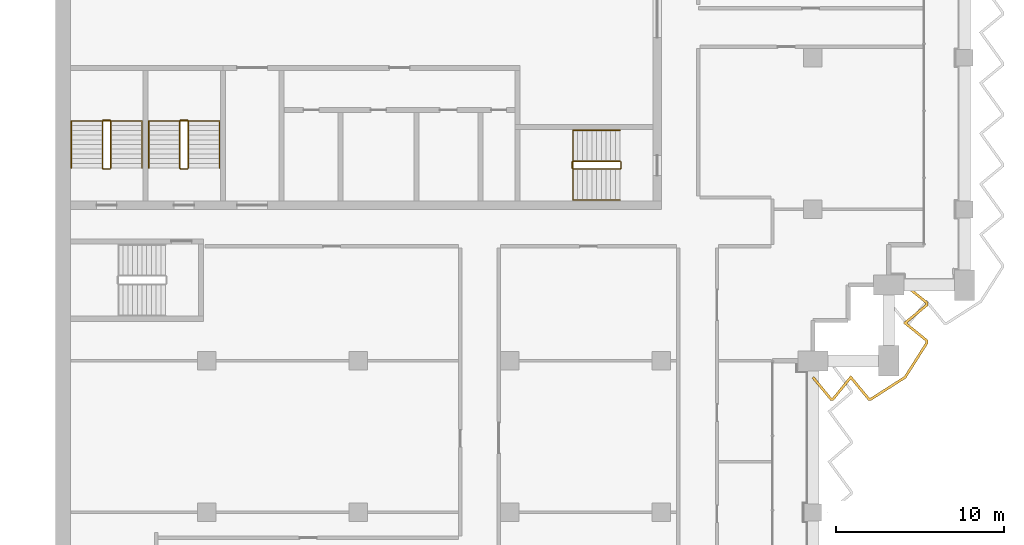
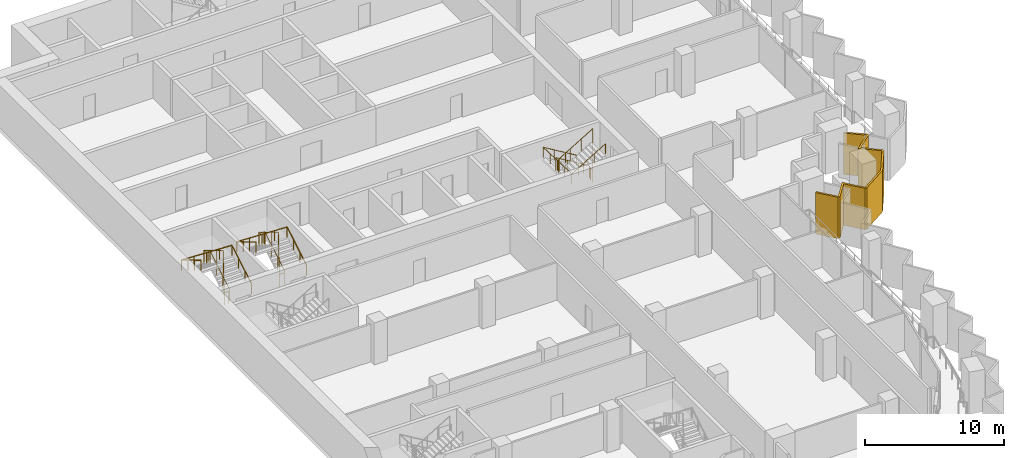
# One storey, part 16 of 17: 6 railings, 1 shading device.
"""IFC4 building model written with IfcOpenShell, lengths in metres."""

from ifc_helpers import new_model, si_unit, direction, frame, origin, origin_2d, place, context, subcontext, project, spatial, polyline, circle, outline, extrude, material, layer, layer_set, type_object, element, save


model = new_model("IFC4")

# Units and contexts
model_context = context("Model", 3, precision=1e-05, world=origin(), true_north=direction((0.0, 1.0)))
body_context = subcontext(model_context, "Body", "Model", "MODEL_VIEW")
ifc_project = project(units=[si_unit("LENGTHUNIT", "METRE"), si_unit("AREAUNIT", "SQUARE_METRE"), si_unit("VOLUMEUNIT", "CUBIC_METRE"), si_unit("PLANEANGLEUNIT", "RADIAN"), si_unit("MASSUNIT", "GRAM", prefix="KILO")], contexts=[model_context])

# Site, building, storey
site_placement = place(None, origin())
site = spatial("IfcSite", under=ifc_project, at=site_placement, CompositionType="ELEMENT")
building_placement = place(site_placement, origin())
building = spatial("IfcBuilding", under=site, at=building_placement, Name="Hunhe Ridgeline Campus", CompositionType="ELEMENT")
storey_placement = place(building_placement, frame((0.0, 0.0, 201.300048828125)))
storey = spatial("IfcBuildingStorey", under=building, at=storey_placement, Name="L51", CompositionType="ELEMENT", Elevation=201.300048828125)

# Shading device
ifc_material_1 = material(Name="Concrete C50", Category="concrete")
ifc_layer = layer(ifc_material_1, 0.14990234375)
ifc_layer_set = layer_set([ifc_layer], Name="Sawtooth concrete fin 150 Concrete C50")
shading_device_type = type_object("IfcShadingDeviceType", Name="Sawtooth concrete fin 150 Concrete C50", PredefinedType="USERDEFINED", material=ifc_layer_set)
shading_device_placement = place(storey_placement, frame((0.0, 0.0, -0.949951171875)))
element("IfcShadingDevice", 1, at=shading_device_placement, inside=storey, type_object=shading_device_type, Name="Concrete fin screen 2", ObjectType="FIN", PredefinedType="USERDEFINED", context=body_context, shape_type="SweptSolid", body=[
    extrude(outline(polyline([(45.057861328125, 53.07275390625), (44.942138671875, 52.977294921875), (46.037353515625, 51.64990234375), (46.228271484375, 51.64990234375), (47.25048828125, 52.90673828125), (48.287353515625, 51.64990234375), (48.464599609375, 51.64990234375), (50.529296875, 52.970703125), (51.85009765625, 55.05078125), (51.85009765625, 55.228271484375), (50.59326171875, 56.25048828125), (51.85009765625, 57.287353515625), (51.85009765625, 57.478271484375), (50.522216796875, 58.55810546875), (50.427734375, 58.44189453125), (51.699951171875, 57.406982421875), (51.699951171875, 57.35791015625), (50.356689453125, 56.24951171875), (51.699951171875, 55.156982421875), (51.699951171875, 55.094482421875), (50.420654296875, 53.079345703125), (48.420654296875, 51.800048828125), (48.35791015625, 51.800048828125), (47.24951171875, 53.143310546875), (46.156982421875, 51.800048828125), (46.10791015625, 51.800048828125), (45.057861328125, 53.07275390625)])), origin(), (0.0, 0.0, 1.0), 3.64990234375),
])

# Railings
ifc_material_2 = material(Name="Stainless steel balustrade", Category="steel")
railing_type_1 = type_object("IfcRailingType", Name="Stair guard 1100 stainless", PredefinedType="GUARDRAIL", material=ifc_material_2)
railing_1_placement = place(storey_placement, frame((33.550048828125, 65.85009765625, 0.168212890625)))
element("IfcRailing", 2, at=railing_1_placement, inside=storey, type_object=railing_type_1, Name="L51 stair S2 guard", PredefinedType="GUARDRAIL", context=body_context, shape_type="SweptSolid", body=[
    extrude(circle(Radius=0.02392578125, at=origin_2d()), frame((0.0, 0.0, 1.076171875), z_axis=(-0.857275202839, 0.0, 0.514858452973), x_axis=(0.0, -1.0, 0.0)), (0.0, 0.0, 1.0), 3.26611328125),
    extrude(circle(Radius=0.02392578125, at=origin_2d()), frame((-2.800048828125, 0.0, 2.7578125), z_axis=(-0.707106781187, -0.707106781187, 0.0), x_axis=(0.707106781187, -0.707106781187, 0.0)), (0.0, 0.0, 1.0), 0.07080078125),
    extrude(circle(Radius=0.02392578125, at=origin_2d()), frame((-2.85009765625, -0.050048828125, 2.7578125), z_axis=(0.0, -1.0, 0.0), x_axis=(1.0, 0.0, 0.0)), (0.0, 0.0, 1.0), 0.35009765625),
    extrude(circle(Radius=0.02392578125, at=origin_2d()), frame((-2.85009765625, -0.400146484375, 2.7578125), z_axis=(0.274243871929, -0.274243871929, 0.92172696468), x_axis=(0.707106781187, 0.707106781187, 0.0)), (0.0, 0.0, 1.0), 0.1826171875),
    extrude(circle(Radius=0.02392578125, at=origin_2d()), frame((-2.800048828125, -0.4501953125, 2.92578125), z_axis=(0.857242210791, 0.0, 0.514913383045), x_axis=(0.0, 1.0, 0.0)), (0.0, 0.0, 1.0), 3.266357421875),
    extrude(circle(Radius=0.02392578125, at=origin_2d()), frame((0.0, -0.4501953125, 4.60791015625), z_axis=(0.013524414389, 0.013524414389, -0.999817073484), x_axis=(-0.707106781187, 0.707106781187, 0.0)), (0.0, 0.0, 1.0), 3.70068359375),
    extrude(circle(Radius=0.02392578125, at=origin_2d()), frame((0.050048828125, -0.400146484375, 0.90771484375), z_axis=(0.0, 1.0, 0.0), x_axis=(-1.0, 0.0, 0.0)), (0.0, 0.0, 1.0), 0.35009765625),
    extrude(circle(Radius=0.02099609375, at=origin_2d()), origin(), (0.0, 0.0, 1.0), 1.052001953125),
    extrude(circle(Radius=0.02099609375, at=origin_2d()), frame((-0.933349609375, 0.0, 0.560546875)), (0.0, 0.0, 1.0), 1.052001953125),
    extrude(circle(Radius=0.02099609375, at=origin_2d()), frame((-1.86669921875, 0.0, 1.12109375)), (0.0, 0.0, 1.0), 1.052001953125),
    extrude(circle(Radius=0.02099609375, at=origin_2d()), frame((-2.800048828125, 0.0, 1.681640625)), (0.0, 0.0, 1.0), 1.052001953125),
    extrude(circle(Radius=0.02099609375, at=origin_2d()), frame((-2.85009765625, -0.050048828125, 1.681640625)), (0.0, 0.0, 1.0), 1.052001953125),
    extrude(circle(Radius=0.02099609375, at=origin_2d()), frame((-2.85009765625, -0.400146484375, 1.681640625)), (0.0, 0.0, 1.0), 1.052001953125),
    extrude(circle(Radius=0.02099609375, at=origin_2d()), frame((-2.800048828125, -0.4501953125, 1.849853515625)), (0.0, 0.0, 1.0), 1.052001953125),
    extrude(circle(Radius=0.02099609375, at=origin_2d()), frame((-1.86669921875, -0.4501953125, 2.410400390625)), (0.0, 0.0, 1.0), 1.052001953125),
    extrude(circle(Radius=0.02099609375, at=origin_2d()), frame((-0.933349609375, -0.4501953125, 2.97119140625)), (0.0, 0.0, 1.0), 1.052001953125),
    extrude(circle(Radius=0.02099609375, at=origin_2d()), frame((0.0, -0.4501953125, 3.53173828125)), (0.0, 0.0, 1.0), 1.052001953125),
    extrude(circle(Radius=0.02099609375, at=origin_2d()), frame((0.012451171875, -0.437744140625, 2.606689453125)), (0.0, 0.0, 1.0), 1.052001953125),
    extrude(circle(Radius=0.02099609375, at=origin_2d()), frame((0.02490234375, -0.42529296875, 1.681640625)), (0.0, 0.0, 1.0), 1.052001953125),
    extrude(circle(Radius=0.02099609375, at=origin_2d()), frame((0.03759765625, -0.41259765625, 0.7568359375)), (0.0, 0.0, 1.0), 1.052001953125),
    extrude(circle(Radius=0.02099609375, at=origin_2d()), frame((0.050048828125, -0.400146484375, -0.168212890625)), (0.0, 0.0, 1.0), 1.052001953125),
    extrude(circle(Radius=0.02099609375, at=origin_2d()), frame((0.050048828125, -0.050048828125, -0.168212890625)), (0.0, 0.0, 1.0), 1.052001953125),
])
railing_2_placement = place(storey_placement, frame((3.300048828125, 65.449951171875, 0.168212890625)))
element("IfcRailing", 3, at=railing_2_placement, inside=storey, type_object=railing_type_1, Name="L51 stair S3 guard", PredefinedType="GUARDRAIL", context=body_context, shape_type="SweptSolid", body=[
    extrude(circle(Radius=0.02392578125, at=origin_2d()), frame((0.0, 0.0, 1.076171875), z_axis=(0.0, 0.857275202839, 0.514858452973), x_axis=(-1.0, 0.0, 0.0)), (0.0, 0.0, 1.0), 3.26611328125),
    extrude(circle(Radius=0.02392578125, at=origin_2d()), frame((0.0, 2.800048828125, 2.7578125), z_axis=(-0.707106781187, 0.707106781187, 0.0), x_axis=(-0.707106781187, -0.707106781187, 0.0)), (0.0, 0.0, 1.0), 0.07080078125),
    extrude(circle(Radius=0.02392578125, at=origin_2d()), frame((-0.050048828125, 2.85009765625, 2.7578125), z_axis=(-1.0, 0.0, 0.0), x_axis=(0.0, -1.0, 0.0)), (0.0, 0.0, 1.0), 0.39990234375),
    extrude(circle(Radius=0.02392578125, at=origin_2d()), frame((-0.449951171875, 2.85009765625, 2.7578125), z_axis=(-0.274243871929, -0.274243871929, 0.92172696468), x_axis=(0.707106781187, -0.707106781187, 0.0)), (0.0, 0.0, 1.0), 0.1826171875),
    extrude(circle(Radius=0.02392578125, at=origin_2d()), frame((-0.5, 2.800048828125, 2.92578125), z_axis=(0.0, -0.857242210791, 0.514913383045), x_axis=(1.0, 0.0, 0.0)), (0.0, 0.0, 1.0), 3.266357421875),
    extrude(circle(Radius=0.02392578125, at=origin_2d()), frame((-0.5, 0.0, 4.60791015625), z_axis=(0.013524414389, -0.013524414389, -0.999817073484), x_axis=(0.707106781187, 0.707106781187, 0.0)), (0.0, 0.0, 1.0), 3.70068359375),
    extrude(circle(Radius=0.02392578125, at=origin_2d()), frame((-0.449951171875, -0.050048828125, 0.90771484375), z_axis=(1.0, 0.0, 0.0), x_axis=(0.0, 1.0, 0.0)), (0.0, 0.0, 1.0), 0.39990234375),
    extrude(circle(Radius=0.02099609375, at=origin_2d()), origin(), (0.0, 0.0, 1.0), 1.052001953125),
    extrude(circle(Radius=0.02099609375, at=origin_2d()), frame((0.0, 0.933349609375, 0.560546875)), (0.0, 0.0, 1.0), 1.052001953125),
    extrude(circle(Radius=0.02099609375, at=origin_2d()), frame((0.0, 1.86669921875, 1.12109375)), (0.0, 0.0, 1.0), 1.052001953125),
    extrude(circle(Radius=0.02099609375, at=origin_2d()), frame((0.0, 2.800048828125, 1.681640625)), (0.0, 0.0, 1.0), 1.052001953125),
    extrude(circle(Radius=0.02099609375, at=origin_2d()), frame((-0.050048828125, 2.85009765625, 1.681640625)), (0.0, 0.0, 1.0), 1.052001953125),
    extrude(circle(Radius=0.02099609375, at=origin_2d()), frame((-0.449951171875, 2.85009765625, 1.681640625)), (0.0, 0.0, 1.0), 1.052001953125),
    extrude(circle(Radius=0.02099609375, at=origin_2d()), frame((-0.5, 2.800048828125, 1.849853515625)), (0.0, 0.0, 1.0), 1.052001953125),
    extrude(circle(Radius=0.02099609375, at=origin_2d()), frame((-0.5, 1.86669921875, 2.410400390625)), (0.0, 0.0, 1.0), 1.052001953125),
    extrude(circle(Radius=0.02099609375, at=origin_2d()), frame((-0.5, 0.933349609375, 2.97119140625)), (0.0, 0.0, 1.0), 1.052001953125),
    extrude(circle(Radius=0.02099609375, at=origin_2d()), frame((-0.5, 0.0, 3.53173828125)), (0.0, 0.0, 1.0), 1.052001953125),
    extrude(circle(Radius=0.02099609375, at=origin_2d()), frame((-0.487548828125, -0.012451171875, 2.606689453125)), (0.0, 0.0, 1.0), 1.052001953125),
    extrude(circle(Radius=0.02099609375, at=origin_2d()), frame((-0.47509765625, -0.02490234375, 1.681640625)), (0.0, 0.0, 1.0), 1.052001953125),
    extrude(circle(Radius=0.02099609375, at=origin_2d()), frame((-0.46240234375, -0.03759765625, 0.7568359375)), (0.0, 0.0, 1.0), 1.052001953125),
    extrude(circle(Radius=0.02099609375, at=origin_2d()), frame((-0.449951171875, -0.050048828125, -0.168212890625)), (0.0, 0.0, 1.0), 1.052001953125),
    extrude(circle(Radius=0.02099609375, at=origin_2d()), frame((-0.050048828125, -0.050048828125, -0.168212890625)), (0.0, 0.0, 1.0), 1.052001953125),
])
railing_3_placement = place(storey_placement, frame((7.89990234375, 65.449951171875, 0.168212890625)))
element("IfcRailing", 4, at=railing_3_placement, inside=storey, type_object=railing_type_1, Name="L51 stair S4 guard", PredefinedType="GUARDRAIL", context=body_context, shape_type="SweptSolid", body=[
    extrude(circle(Radius=0.02392578125, at=origin_2d()), frame((0.0, 0.0, 1.076171875), z_axis=(0.0, 0.857275202839, 0.514858452973), x_axis=(-1.0, 0.0, 0.0)), (0.0, 0.0, 1.0), 3.26611328125),
    extrude(circle(Radius=0.02392578125, at=origin_2d()), frame((0.0, 2.800048828125, 2.7578125), z_axis=(-0.705375805398, 0.708833529934, 0.0), x_axis=(-0.708833529934, -0.705375805398, 0.0)), (0.0, 0.0, 1.0), 0.070556640625),
    extrude(circle(Radius=0.02392578125, at=origin_2d()), frame((-0.0498046875, 2.85009765625, 2.7578125), z_axis=(-1.0, 0.0, 0.0), x_axis=(0.0, -1.0, 0.0)), (0.0, 0.0, 1.0), 0.400146484375),
    extrude(circle(Radius=0.02392578125, at=origin_2d()), frame((-0.449951171875, 2.85009765625, 2.7578125), z_axis=(-0.274243871929, -0.274243871929, 0.92172696468), x_axis=(0.707106781187, -0.707106781187, 0.0)), (0.0, 0.0, 1.0), 0.1826171875),
    extrude(circle(Radius=0.02392578125, at=origin_2d()), frame((-0.5, 2.800048828125, 2.92578125), z_axis=(0.0, -0.857242210791, 0.514913383045), x_axis=(1.0, 0.0, 0.0)), (0.0, 0.0, 1.0), 3.266357421875),
    extrude(circle(Radius=0.02392578125, at=origin_2d()), frame((-0.5, 0.0, 4.60791015625), z_axis=(0.013524414389, -0.013524414389, -0.999817073484), x_axis=(0.707106781187, 0.707106781187, 0.0)), (0.0, 0.0, 1.0), 3.70068359375),
    extrude(circle(Radius=0.02392578125, at=origin_2d()), frame((-0.449951171875, -0.050048828125, 0.90771484375), z_axis=(1.0, 0.0, 0.0), x_axis=(0.0, 1.0, 0.0)), (0.0, 0.0, 1.0), 0.400146484375),
    extrude(circle(Radius=0.02099609375, at=origin_2d()), origin(), (0.0, 0.0, 1.0), 1.052001953125),
    extrude(circle(Radius=0.02099609375, at=origin_2d()), frame((0.0, 0.933349609375, 0.560546875)), (0.0, 0.0, 1.0), 1.052001953125),
    extrude(circle(Radius=0.02099609375, at=origin_2d()), frame((0.0, 1.86669921875, 1.12109375)), (0.0, 0.0, 1.0), 1.052001953125),
    extrude(circle(Radius=0.02099609375, at=origin_2d()), frame((0.0, 2.800048828125, 1.681640625)), (0.0, 0.0, 1.0), 1.052001953125),
    extrude(circle(Radius=0.02099609375, at=origin_2d()), frame((-0.0498046875, 2.85009765625, 1.681640625)), (0.0, 0.0, 1.0), 1.052001953125),
    extrude(circle(Radius=0.02099609375, at=origin_2d()), frame((-0.449951171875, 2.85009765625, 1.681640625)), (0.0, 0.0, 1.0), 1.052001953125),
    extrude(circle(Radius=0.02099609375, at=origin_2d()), frame((-0.5, 2.800048828125, 1.849853515625)), (0.0, 0.0, 1.0), 1.052001953125),
    extrude(circle(Radius=0.02099609375, at=origin_2d()), frame((-0.5, 1.86669921875, 2.410400390625)), (0.0, 0.0, 1.0), 1.052001953125),
    extrude(circle(Radius=0.02099609375, at=origin_2d()), frame((-0.5, 0.933349609375, 2.97119140625)), (0.0, 0.0, 1.0), 1.052001953125),
    extrude(circle(Radius=0.02099609375, at=origin_2d()), frame((-0.5, 0.0, 3.53173828125)), (0.0, 0.0, 1.0), 1.052001953125),
    extrude(circle(Radius=0.02099609375, at=origin_2d()), frame((-0.487548828125, -0.012451171875, 2.606689453125)), (0.0, 0.0, 1.0), 1.052001953125),
    extrude(circle(Radius=0.02099609375, at=origin_2d()), frame((-0.47509765625, -0.02490234375, 1.681640625)), (0.0, 0.0, 1.0), 1.052001953125),
    extrude(circle(Radius=0.02099609375, at=origin_2d()), frame((-0.46240234375, -0.03759765625, 0.7568359375)), (0.0, 0.0, 1.0), 1.052001953125),
    extrude(circle(Radius=0.02099609375, at=origin_2d()), frame((-0.449951171875, -0.050048828125, -0.168212890625)), (0.0, 0.0, 1.0), 1.052001953125),
    extrude(circle(Radius=0.02099609375, at=origin_2d()), frame((-0.0498046875, -0.050048828125, -0.168212890625)), (0.0, 0.0, 1.0), 1.052001953125),
])
ifc_material_3 = material(Name="Stainless steel handrail", Category="steel")
railing_type_2 = type_object("IfcRailingType", Name="Stair handrail 900 stainless", PredefinedType="HANDRAIL", material=ifc_material_3)
railing_4_placement = place(storey_placement, frame((33.550048828125, 67.699951171875, 0.168212890625)))
element("IfcRailing", 5, at=railing_4_placement, inside=storey, type_object=railing_type_2, Name="L51 stair S2 handrail", PredefinedType="HANDRAIL", context=body_context, shape_type="SweptSolid", body=[
    extrude(circle(Radius=0.02392578125, at=origin_2d()), frame((0.0, 0.0, 0.8759765625), z_axis=(-0.857275202839, 0.0, 0.514858452973), x_axis=(0.0, -1.0, 0.0)), (0.0, 0.0, 1.0), 3.26611328125),
    extrude(circle(Radius=0.02392578125, at=origin_2d()), frame((-2.800048828125, 0.0, 2.5576171875), z_axis=(0.0, -0.99917950104, 0.040500922239), x_axis=(1.0, 0.0, 0.0)), (0.0, 0.0, 1.0), 4.1533203125),
    extrude(circle(Radius=0.02392578125, at=origin_2d()), frame((-2.800048828125, -4.14990234375, 2.7255859375), z_axis=(0.857242210791, 0.0, 0.514913383045), x_axis=(0.0, 1.0, 0.0)), (0.0, 0.0, 1.0), 3.266357421875),
    extrude(circle(Radius=0.02099609375, at=origin_2d()), origin(), (0.0, 0.0, 1.0), 0.851806640625),
    extrude(circle(Radius=0.02099609375, at=origin_2d()), frame((-0.933349609375, 0.0, 0.560546875)), (0.0, 0.0, 1.0), 0.851806640625),
    extrude(circle(Radius=0.02099609375, at=origin_2d()), frame((-1.86669921875, 0.0, 1.12109375)), (0.0, 0.0, 1.0), 0.851806640625),
    extrude(circle(Radius=0.02099609375, at=origin_2d()), frame((-2.800048828125, 0.0, 1.681640625)), (0.0, 0.0, 1.0), 0.851806640625),
    extrude(circle(Radius=0.02099609375, at=origin_2d()), frame((-2.800048828125, -1.03759765625, 1.7236328125)), (0.0, 0.0, 1.0), 0.851806640625),
    extrude(circle(Radius=0.02099609375, at=origin_2d()), frame((-2.800048828125, -2.074951171875, 1.765625)), (0.0, 0.0, 1.0), 0.851806640625),
    extrude(circle(Radius=0.02099609375, at=origin_2d()), frame((-2.800048828125, -3.1123046875, 1.807861328125)), (0.0, 0.0, 1.0), 0.851806640625),
    extrude(circle(Radius=0.02099609375, at=origin_2d()), frame((-2.800048828125, -4.14990234375, 1.849853515625)), (0.0, 0.0, 1.0), 0.851806640625),
    extrude(circle(Radius=0.02099609375, at=origin_2d()), frame((-1.86669921875, -4.14990234375, 2.410400390625)), (0.0, 0.0, 1.0), 0.851806640625),
    extrude(circle(Radius=0.02099609375, at=origin_2d()), frame((-0.933349609375, -4.14990234375, 2.97119140625)), (0.0, 0.0, 1.0), 0.851806640625),
    extrude(circle(Radius=0.02099609375, at=origin_2d()), frame((0.0, -4.14990234375, 3.53173828125)), (0.0, 0.0, 1.0), 0.851806640625),
])
railing_5_placement = place(storey_placement, frame((5.14990234375, 65.449951171875, 0.168212890625)))
element("IfcRailing", 6, at=railing_5_placement, inside=storey, type_object=railing_type_2, Name="L51 stair S3 handrail", PredefinedType="HANDRAIL", context=body_context, shape_type="SweptSolid", body=[
    extrude(circle(Radius=0.02392578125, at=origin_2d()), frame((0.0, 0.0, 0.8759765625), z_axis=(0.0, 0.857275202839, 0.514858452973), x_axis=(-1.0, 0.0, 0.0)), (0.0, 0.0, 1.0), 3.26611328125),
    extrude(circle(Radius=0.02392578125, at=origin_2d()), frame((0.0, 2.800048828125, 2.5576171875), z_axis=(-0.999198916169, 0.0, 0.040019069537), x_axis=(0.0, -1.0, 0.0)), (0.0, 0.0, 1.0), 4.203369140625),
    extrude(circle(Radius=0.02392578125, at=origin_2d()), frame((-4.199951171875, 2.800048828125, 2.7255859375), z_axis=(0.0, -0.857242210791, 0.514913383045), x_axis=(1.0, 0.0, 0.0)), (0.0, 0.0, 1.0), 3.266357421875),
    extrude(circle(Radius=0.02099609375, at=origin_2d()), origin(), (0.0, 0.0, 1.0), 0.851806640625),
    extrude(circle(Radius=0.02099609375, at=origin_2d()), frame((0.0, 0.933349609375, 0.560546875)), (0.0, 0.0, 1.0), 0.851806640625),
    extrude(circle(Radius=0.02099609375, at=origin_2d()), frame((0.0, 1.86669921875, 1.12109375)), (0.0, 0.0, 1.0), 0.851806640625),
    extrude(circle(Radius=0.02099609375, at=origin_2d()), frame((0.0, 2.800048828125, 1.681640625)), (0.0, 0.0, 1.0), 0.851806640625),
    extrude(circle(Radius=0.02099609375, at=origin_2d()), frame((-1.050048828125, 2.800048828125, 1.7236328125)), (0.0, 0.0, 1.0), 0.851806640625),
    extrude(circle(Radius=0.02099609375, at=origin_2d()), frame((-2.10009765625, 2.800048828125, 1.765625)), (0.0, 0.0, 1.0), 0.851806640625),
    extrude(circle(Radius=0.02099609375, at=origin_2d()), frame((-3.14990234375, 2.800048828125, 1.807861328125)), (0.0, 0.0, 1.0), 0.851806640625),
    extrude(circle(Radius=0.02099609375, at=origin_2d()), frame((-4.199951171875, 2.800048828125, 1.849853515625)), (0.0, 0.0, 1.0), 0.851806640625),
    extrude(circle(Radius=0.02099609375, at=origin_2d()), frame((-4.199951171875, 1.86669921875, 2.410400390625)), (0.0, 0.0, 1.0), 0.851806640625),
    extrude(circle(Radius=0.02099609375, at=origin_2d()), frame((-4.199951171875, 0.933349609375, 2.97119140625)), (0.0, 0.0, 1.0), 0.851806640625),
    extrude(circle(Radius=0.02099609375, at=origin_2d()), frame((-4.199951171875, 0.0, 3.53173828125)), (0.0, 0.0, 1.0), 0.851806640625),
])
railing_6_placement = place(storey_placement, frame((9.75, 65.449951171875, 0.168212890625)))
element("IfcRailing", 7, at=railing_6_placement, inside=storey, type_object=railing_type_2, Name="L51 stair S4 handrail", PredefinedType="HANDRAIL", context=body_context, shape_type="SweptSolid", body=[
    extrude(circle(Radius=0.02392578125, at=origin_2d()), frame((0.0, 0.0, 0.8759765625), z_axis=(0.0, 0.857275202839, 0.514858452973), x_axis=(-1.0, 0.0, 0.0)), (0.0, 0.0, 1.0), 3.26611328125),
    extrude(circle(Radius=0.02392578125, at=origin_2d()), frame((0.0, 2.800048828125, 2.5576171875), z_axis=(-0.999198916169, 0.0, 0.040019069537), x_axis=(0.0, -1.0, 0.0)), (0.0, 0.0, 1.0), 4.203369140625),
    extrude(circle(Radius=0.02392578125, at=origin_2d()), frame((-4.199951171875, 2.800048828125, 2.7255859375), z_axis=(0.0, -0.857242210791, 0.514913383045), x_axis=(1.0, 0.0, 0.0)), (0.0, 0.0, 1.0), 3.266357421875),
    extrude(circle(Radius=0.02099609375, at=origin_2d()), origin(), (0.0, 0.0, 1.0), 0.851806640625),
    extrude(circle(Radius=0.02099609375, at=origin_2d()), frame((0.0, 0.933349609375, 0.560546875)), (0.0, 0.0, 1.0), 0.851806640625),
    extrude(circle(Radius=0.02099609375, at=origin_2d()), frame((0.0, 1.86669921875, 1.12109375)), (0.0, 0.0, 1.0), 0.851806640625),
    extrude(circle(Radius=0.02099609375, at=origin_2d()), frame((0.0, 2.800048828125, 1.681640625)), (0.0, 0.0, 1.0), 0.851806640625),
    extrude(circle(Radius=0.02099609375, at=origin_2d()), frame((-1.050048828125, 2.800048828125, 1.7236328125)), (0.0, 0.0, 1.0), 0.851806640625),
    extrude(circle(Radius=0.02099609375, at=origin_2d()), frame((-2.10009765625, 2.800048828125, 1.765625)), (0.0, 0.0, 1.0), 0.851806640625),
    extrude(circle(Radius=0.02099609375, at=origin_2d()), frame((-3.14990234375, 2.800048828125, 1.807861328125)), (0.0, 0.0, 1.0), 0.851806640625),
    extrude(circle(Radius=0.02099609375, at=origin_2d()), frame((-4.199951171875, 2.800048828125, 1.849853515625)), (0.0, 0.0, 1.0), 0.851806640625),
    extrude(circle(Radius=0.02099609375, at=origin_2d()), frame((-4.199951171875, 1.86669921875, 2.410400390625)), (0.0, 0.0, 1.0), 0.851806640625),
    extrude(circle(Radius=0.02099609375, at=origin_2d()), frame((-4.199951171875, 0.933349609375, 2.97119140625)), (0.0, 0.0, 1.0), 0.851806640625),
    extrude(circle(Radius=0.02099609375, at=origin_2d()), frame((-4.199951171875, 0.0, 3.53173828125)), (0.0, 0.0, 1.0), 0.851806640625),
])

save(model, "model.ifc")
